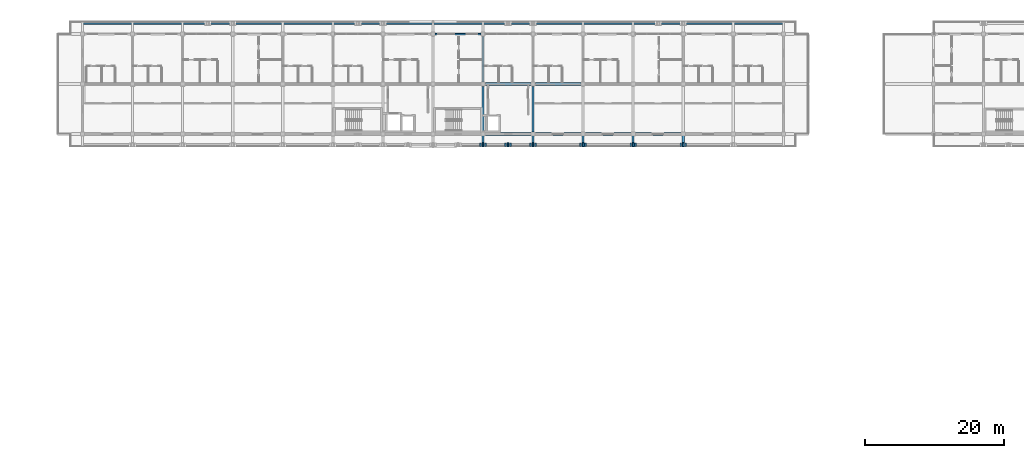
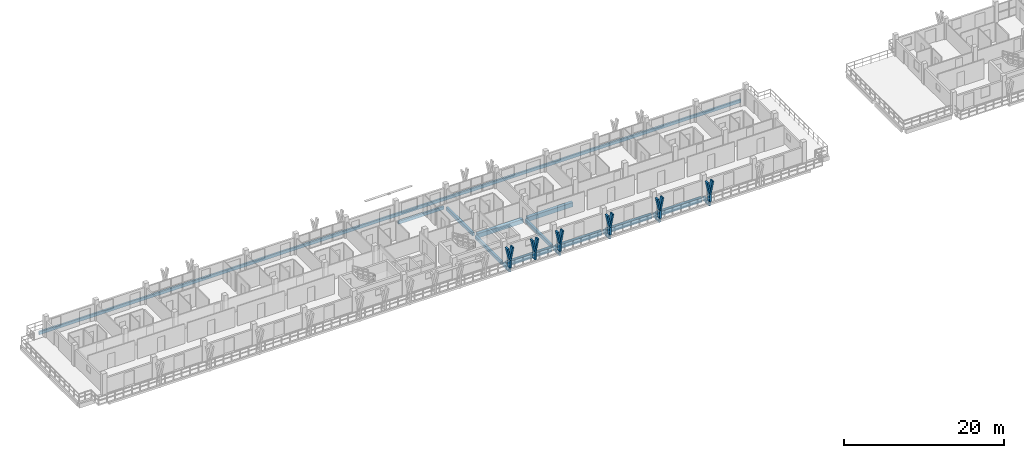
# One storey, part 14 of 73: 18 members, 16 beams.
"""IFC4 building model written with IfcOpenShell, lengths in metres."""

from ifc_helpers import new_model, si_unit, direction, frame, origin, origin_2d, place, context, subcontext, project, spatial, rectangle, extrude, material, material_profile, profile_set, type_object, element, save


model = new_model("IFC4")

# Units and contexts
model_context = context("Model", 3, precision=1e-05, world=origin(), true_north=direction((0.0, 1.0)))
body_context = subcontext(model_context, "Body", "Model", "MODEL_VIEW")
ifc_project = project(units=[si_unit("LENGTHUNIT", "METRE"), si_unit("AREAUNIT", "SQUARE_METRE"), si_unit("VOLUMEUNIT", "CUBIC_METRE"), si_unit("PLANEANGLEUNIT", "RADIAN"), si_unit("MASSUNIT", "GRAM", prefix="KILO")], contexts=[model_context])

# Site, building, storey
site_placement = place(None, origin())
site = spatial("IfcSite", under=ifc_project, at=site_placement, CompositionType="ELEMENT")
building_placement = place(site_placement, origin())
building = spatial("IfcBuilding", under=site, at=building_placement, Name="Suanplinth Sawtooth Commons", CompositionType="ELEMENT")
storey_placement = place(building_placement, frame((0.0, 0.0, 21.89990234375)))
storey = spatial("IfcBuildingStorey", under=building, at=storey_placement, Name="L06", CompositionType="ELEMENT", Elevation=21.89990234375)

# Beams
ifc_material_1 = material(Name="Precast concrete C40/50", Category="concrete")
ifc_material_profile_1 = material_profile(ifc_material_1, rectangle(XDim=0.449951171875, YDim=0.64990234375, at=origin_2d()), Name="PC-GDR 450x650")
ifc_profile_set_1 = profile_set([ifc_material_profile_1], Name="Precast concrete C40/50")
beam_type_1 = type_object("IfcBeamType", Name="B-04", PredefinedType="USERDEFINED", material=ifc_profile_set_1)
for number, where, z_axis, x_axis, name in (
    (1, (65.125, 108.0, -0.56494140625), (1.0, 0.0, 0.0), (0.0, 1.0, 0.0), "BMX-L06-A-9-15"),
    (2, (65.125, 115.199951171875, -0.56494140625), (1.0, 0.0, 0.0), (0.0, 1.0, 0.0), "BMX-L06-A-9-16"),
    (3, (72.324951171875, 108.0, -0.56494140625), (1.0, 0.0, 0.0), (0.0, 1.0, 0.0), "BMX-L06-A-10-15"),
    (4, (72.324951171875, 115.199951171875, -0.56494140625), (1.0, 0.0, 0.0), (0.0, 1.0, 0.0), "BMX-L06-A-10-16"),
    (5, (79.52490234375, 108.0, -0.56494140625), (1.0, 0.0, 0.0), (0.0, 1.0, 0.0), "BMX-L06-A-11-15"),
):
    element("IfcBeam", number, at=place(storey_placement, frame(where, z_axis=z_axis, x_axis=x_axis)), inside=storey, type_object=beam_type_1, Name=name, ObjectType="GIRDER", PredefinedType="USERDEFINED", context=body_context, shape_type="SweptSolid", body=[
        extrude(rectangle(XDim=0.449951171875, YDim=0.64990234375, at=origin_2d()), origin(), (0.0, 0.0, 1.0), 6.550048828125),
    ])
beam_1_placement = place(storey_placement, frame((86.72509765625, 108.0, -0.56494140625), z_axis=(1.0, 0.0, 0.0), x_axis=(0.0, 1.0, 0.0)))
element("IfcBeam", 6, at=beam_1_placement, inside=storey, type_object=beam_type_1, Name="BMX-L06-A-12-15", ObjectType="GIRDER", PredefinedType="USERDEFINED", context=body_context, shape_type="SweptSolid", body=[
    extrude(rectangle(XDim=0.449951171875, YDim=0.64990234375, at=origin_2d()), origin(), (0.0, 0.0, 1.0), 6.5498046875),
])
ifc_material_profile_2 = material_profile(ifc_material_1, rectangle(XDim=0.300048828125, YDim=0.5, at=origin_2d()), Name="PC-BM 300x500")
ifc_profile_set_2 = profile_set([ifc_material_profile_2], Name="Precast concrete C40/50")
beam_type_2 = type_object("IfcBeamType", Name="B-07", PredefinedType="BEAM", material=ifc_profile_set_2)
for number, where, z_axis, x_axis, name in (
    (7, (64.800048828125, 108.324951171875, -0.489990234375), (0.0, 1.0, 0.0), (-1.0, 0.0, 0.0), "BMY-L06-A-9-15"),
    (8, (64.800048828125, 115.52490234375, -0.489990234375), (0.0, 1.0, 0.0), (-1.0, 0.0, 0.0), "BMY-L06-A-9-16"),
    (9, (72.0, 108.324951171875, -0.489990234375), (0.0, 1.0, 0.0), (-1.0, 0.0, 0.0), "BMY-L06-A-10-15"),
):
    element("IfcBeam", number, at=place(storey_placement, frame(where, z_axis=z_axis, x_axis=x_axis)), inside=storey, type_object=beam_type_2, Name=name, PredefinedType="BEAM", context=body_context, shape_type="SweptSolid", body=[
        extrude(rectangle(XDim=0.300048828125, YDim=0.5, at=origin_2d()), origin(), (0.0, 0.0, 1.0), 6.550048828125),
    ])
for number, where, z_axis, x_axis, name in (
    (10, (64.800048828125, 108.0, -0.429931640625), (0.0, -1.0, 0.0), (1.0, 0.0, 0.0), "Balcony Outrigger L06-A-S-9"),
    (11, (72.0, 108.0, -0.429931640625), (0.0, -1.0, 0.0), (1.0, 0.0, 0.0), "Balcony Outrigger L06-A-S-10"),
    (12, (79.199951171875, 108.0, -0.429931640625), (0.0, -1.0, 0.0), (1.0, 0.0, 0.0), "Balcony Outrigger L06-A-S-11"),
    (13, (86.39990234375, 108.0, -0.429931640625), (0.0, -1.0, 0.0), (1.0, 0.0, 0.0), "Balcony Outrigger L06-A-S-12"),
    (14, (93.60009765625, 108.0, -0.429931640625), (0.0, -1.0, 0.0), (1.0, 0.0, 0.0), "Balcony Outrigger L06-A-S-13"),
):
    element("IfcBeam", number, at=place(storey_placement, frame(where, z_axis=z_axis, x_axis=x_axis)), inside=storey, type_object=beam_type_2, Name=name, PredefinedType="BEAM", context=body_context, shape_type="SweptSolid", body=[
        extrude(rectangle(XDim=0.300048828125, YDim=0.5, at=origin_2d()), origin(), (0.0, 0.0, 1.0), 1.639892578125),
    ])
ifc_material_profile_3 = material_profile(ifc_material_1, rectangle(XDim=0.25, YDim=0.449951171875, at=origin_2d()), Name="PC-SP 250x450")
ifc_profile_set_3 = profile_set([ifc_material_profile_3], Name="Precast concrete C40/50")
beam_type_3 = type_object("IfcBeamType", Name="B-09", PredefinedType="SPANDREL", material=ifc_profile_set_3)
beam_2_placement = place(storey_placement, frame((57.925048828125, 122.39990234375, -0.46484375), z_axis=(1.0, 0.0, 0.0), x_axis=(0.0, 1.0, 0.0)))
element("IfcBeam", 15, at=beam_2_placement, inside=storey, type_object=beam_type_3, Name="BMX-L06-A-8-17", PredefinedType="SPANDREL", context=body_context, shape_type="SweptSolid", body=[
    extrude(rectangle(XDim=0.25, YDim=0.449951171875, at=origin_2d()), origin(), (0.0, 0.0, 1.0), 6.550048828125),
])
beam_3_placement = place(storey_placement, frame((7.050048828125, 123.919921875, -0.40478515625), z_axis=(1.0, 0.0, 0.0), x_axis=(0.0, 1.0, 0.0)))
element("IfcBeam", 16, at=beam_3_placement, inside=storey, type_object=beam_type_3, Name="Balcony Edge Fascia L06-A-N", PredefinedType="SPANDREL", context=body_context, shape_type="SweptSolid", body=[
    extrude(rectangle(XDim=0.25, YDim=0.449951171875, at=origin_2d()), origin(), (0.0, 0.0, 1.0), 101.099853515625),
])

# Members
ifc_material_2 = material(Name="Pigmented precast concrete C40/50", Category="concrete")
ifc_material_profile_4 = material_profile(ifc_material_2, rectangle(XDim=0.260009765625, YDim=0.550048828125, at=origin_2d()), Name="PC-FIN 260x550")
ifc_profile_set_4 = profile_set([ifc_material_profile_4], Name="Pigmented precast concrete C40/50")
member_type_1 = type_object("IfcMemberType", Name="M-09", PredefinedType="USERDEFINED", material=ifc_profile_set_4)
for number, where, z_axis, x_axis, name in (
    (17, (64.800048828125, 106.47998046875, 0.0), (0.0, 0.0, 1.0), (1.0, 0.0, 0.0), "Y-Blade Stem L06-A-S-19"),
    (18, (68.39990234375, 106.47998046875, 0.0), (0.0, 0.0, 1.0), (1.0, 0.0, 0.0), "Y-Blade Stem L06-A-S-20"),
    (19, (72.0, 106.47998046875, 0.0), (0.0, 0.0, 1.0), (1.0, 0.0, 0.0), "Y-Blade Stem L06-A-S-21"),
    (20, (79.199951171875, 106.47998046875, 0.0), (0.0, 0.0, 1.0), (1.0, 0.0, 0.0), "Y-Blade Stem L06-A-S-22"),
    (21, (86.39990234375, 106.47998046875, 0.0), (0.0, 0.0, 1.0), (1.0, 0.0, 0.0), "Y-Blade Stem L06-A-S-23"),
    (22, (93.60009765625, 106.47998046875, 0.0), (0.0, 0.0, 1.0), (1.0, 0.0, 0.0), "Y-Blade Stem L06-A-S-24"),
):
    element("IfcMember", number, at=place(storey_placement, frame(where, z_axis=z_axis, x_axis=x_axis)), inside=storey, type_object=member_type_1, Name=name, ObjectType="SHADING FIN", PredefinedType="USERDEFINED", context=body_context, shape_type="SweptSolid", body=[
        extrude(rectangle(XDim=0.260009765625, YDim=0.550048828125, at=origin_2d()), origin(), (0.0, 0.0, 1.0), 1.170166015625),
    ])
ifc_material_profile_5 = material_profile(ifc_material_2, rectangle(XDim=0.219970703125, YDim=0.550048828125, at=origin_2d()), Name="PC-FIN 220x550")
ifc_profile_set_5 = profile_set([ifc_material_profile_5], Name="Pigmented precast concrete C40/50")
member_type_2 = type_object("IfcMemberType", Name="M-10", PredefinedType="USERDEFINED", material=ifc_profile_set_5)
member_1_placement = place(storey_placement, frame((64.800048828125, 106.47998046875, 1.130126953125), z_axis=(-0.196431120402, 0.0, 0.980517626021), x_axis=(0.980517626021, 0.0, 0.196431120402)))
element("IfcMember", 23, at=member_1_placement, inside=storey, type_object=member_type_2, Name="Y-Blade Arm L L06-A-S-19", ObjectType="SHADING FIN", PredefinedType="USERDEFINED", context=body_context, shape_type="SweptSolid", body=[
    extrude(rectangle(XDim=0.219970703125, YDim=0.550048828125, at=origin_2d()), origin(), (0.0, 0.0, 1.0), 1.937744140625),
])
for number, where, z_axis, x_axis, name in (
    (24, (64.800048828125, 106.47998046875, 1.130126953125), (0.196309979414, 0.0, 0.980541886909), (-0.980541886909, 0.0, 0.196309979414), "Y-Blade Arm R L06-A-S-19"),
    (25, (68.39990234375, 106.47998046875, 1.130126953125), (-0.196309979414, 0.0, 0.980541886909), (0.980541886909, 0.0, 0.196309979414), "Y-Blade Arm L L06-A-S-20"),
):
    element("IfcMember", number, at=place(storey_placement, frame(where, z_axis=z_axis, x_axis=x_axis)), inside=storey, type_object=member_type_2, Name=name, ObjectType="SHADING FIN", PredefinedType="USERDEFINED", context=body_context, shape_type="SweptSolid", body=[
        extrude(rectangle(XDim=0.219970703125, YDim=0.550048828125, at=origin_2d()), origin(), (0.0, 0.0, 1.0), 1.9375),
    ])
for number, where, z_axis, x_axis, name in (
    (26, (68.39990234375, 106.47998046875, 1.130126953125), (0.196431120402, 0.0, 0.980517626021), (-0.980517626021, 0.0, 0.196431120402), "Y-Blade Arm R L06-A-S-20"),
    (27, (72.0, 106.47998046875, 1.130126953125), (-0.196431120402, 0.0, 0.980517626021), (0.980517626021, 0.0, 0.196431120402), "Y-Blade Arm L L06-A-S-21"),
    (28, (72.0, 106.47998046875, 1.130126953125), (0.196431120402, 0.0, 0.980517626021), (-0.980517626021, 0.0, 0.196431120402), "Y-Blade Arm R L06-A-S-21"),
):
    element("IfcMember", number, at=place(storey_placement, frame(where, z_axis=z_axis, x_axis=x_axis)), inside=storey, type_object=member_type_2, Name=name, ObjectType="SHADING FIN", PredefinedType="USERDEFINED", context=body_context, shape_type="SweptSolid", body=[
        extrude(rectangle(XDim=0.219970703125, YDim=0.550048828125, at=origin_2d()), origin(), (0.0, 0.0, 1.0), 1.937744140625),
    ])
member_2_placement = place(storey_placement, frame((79.199951171875, 106.47998046875, 1.130126953125), z_axis=(-0.196309979414, 0.0, 0.980541886909), x_axis=(0.980541886909, 0.0, 0.196309979414)))
element("IfcMember", 29, at=member_2_placement, inside=storey, type_object=member_type_2, Name="Y-Blade Arm L L06-A-S-22", ObjectType="SHADING FIN", PredefinedType="USERDEFINED", context=body_context, shape_type="SweptSolid", body=[
    extrude(rectangle(XDim=0.219970703125, YDim=0.550048828125, at=origin_2d()), origin(), (0.0, 0.0, 1.0), 1.9375),
])
member_3_placement = place(storey_placement, frame((79.199951171875, 106.47998046875, 1.130126953125), z_axis=(0.196431120402, 0.0, 0.980517626021), x_axis=(-0.980517626021, 0.0, 0.196431120402)))
element("IfcMember", 30, at=member_3_placement, inside=storey, type_object=member_type_2, Name="Y-Blade Arm R L06-A-S-22", ObjectType="SHADING FIN", PredefinedType="USERDEFINED", context=body_context, shape_type="SweptSolid", body=[
    extrude(rectangle(XDim=0.219970703125, YDim=0.550048828125, at=origin_2d()), origin(), (0.0, 0.0, 1.0), 1.937744140625),
])
member_4_placement = place(storey_placement, frame((86.39990234375, 106.47998046875, 1.130126953125), z_axis=(-0.196309979414, 0.0, 0.980541886909), x_axis=(0.980541886909, 0.0, 0.196309979414)))
element("IfcMember", 31, at=member_4_placement, inside=storey, type_object=member_type_2, Name="Y-Blade Arm L L06-A-S-23", ObjectType="SHADING FIN", PredefinedType="USERDEFINED", context=body_context, shape_type="SweptSolid", body=[
    extrude(rectangle(XDim=0.219970703125, YDim=0.550048828125, at=origin_2d()), origin(), (0.0, 0.0, 1.0), 1.9375),
])
for number, where, z_axis, x_axis, name in (
    (32, (86.39990234375, 106.47998046875, 1.130126953125), (0.196431120402, 0.0, 0.980517626021), (-0.980517626021, 0.0, 0.196431120402), "Y-Blade Arm R L06-A-S-23"),
    (33, (93.60009765625, 106.47998046875, 1.130126953125), (-0.196431120402, 0.0, 0.980517626021), (0.980517626021, 0.0, 0.196431120402), "Y-Blade Arm L L06-A-S-24"),
):
    element("IfcMember", number, at=place(storey_placement, frame(where, z_axis=z_axis, x_axis=x_axis)), inside=storey, type_object=member_type_2, Name=name, ObjectType="SHADING FIN", PredefinedType="USERDEFINED", context=body_context, shape_type="SweptSolid", body=[
        extrude(rectangle(XDim=0.219970703125, YDim=0.550048828125, at=origin_2d()), origin(), (0.0, 0.0, 1.0), 1.937744140625),
    ])
member_5_placement = place(storey_placement, frame((93.60009765625, 106.47998046875, 1.130126953125), z_axis=(0.196309979414, 0.0, 0.980541886909), x_axis=(-0.980541886909, 0.0, 0.196309979414)))
element("IfcMember", 34, at=member_5_placement, inside=storey, type_object=member_type_2, Name="Y-Blade Arm R L06-A-S-24", ObjectType="SHADING FIN", PredefinedType="USERDEFINED", context=body_context, shape_type="SweptSolid", body=[
    extrude(rectangle(XDim=0.219970703125, YDim=0.550048828125, at=origin_2d()), origin(), (0.0, 0.0, 1.0), 1.9375),
])

save(model, "model.ifc")
